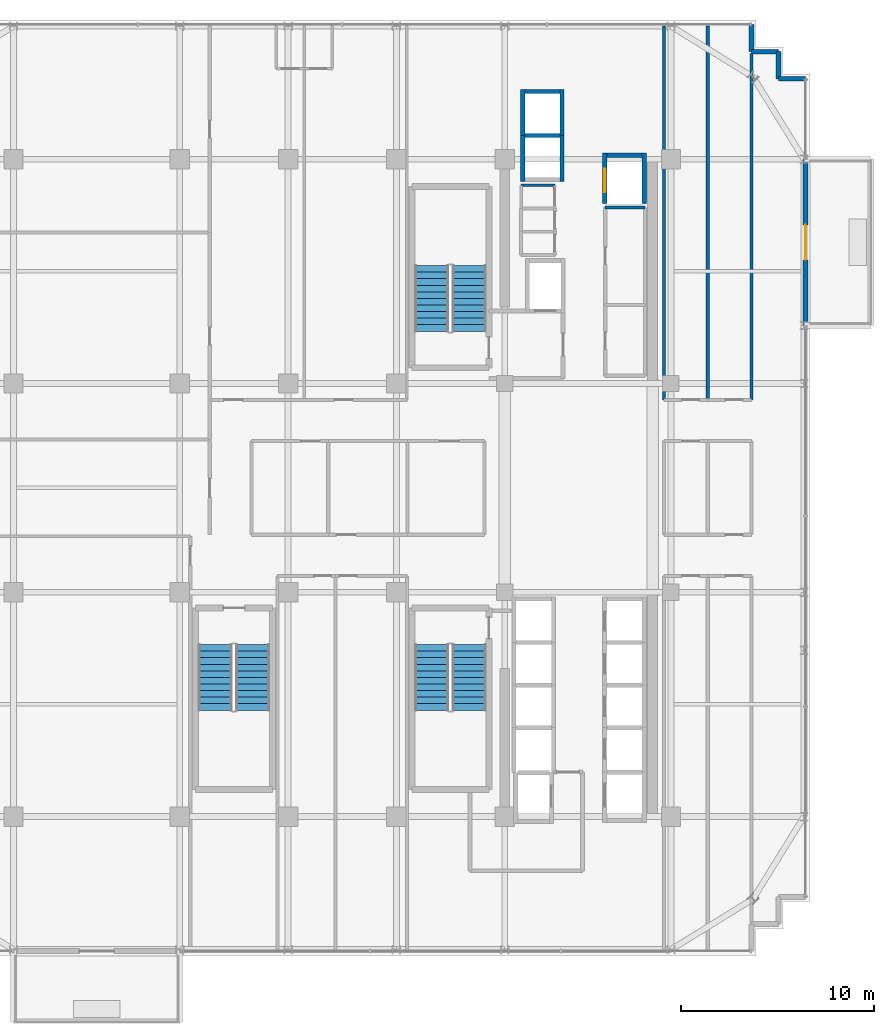
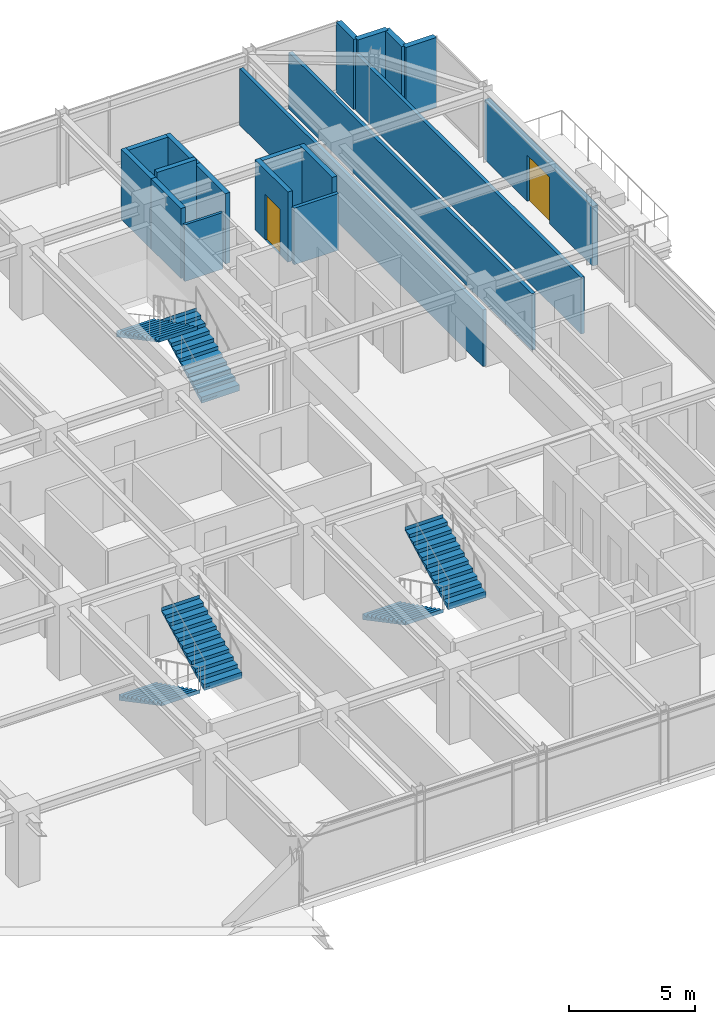
# One storey, part 33 of 36: 19 walls, 6 stair flights, 2 doors, 2 openings, 3 elements without a shape of their own.
"""IFC4 building model written with IfcOpenShell, lengths in metres."""

from ifc_helpers import new_model, si_unit, direction, frame, frame_2d, origin, place, context, subcontext, project, spatial, polyline, rectangle, outline, extrude, source, transform, mapped, material, layer, layer_set, type_object, element, fill, aggregate, save


model = new_model("IFC4")

# Units and contexts
model_context = context("Model", 3, precision=1e-05, world=origin(), true_north=direction((0.0, 1.0)))
body_context = subcontext(model_context, "Body", "Model", "MODEL_VIEW")
ifc_project = project(units=[si_unit("LENGTHUNIT", "METRE"), si_unit("AREAUNIT", "SQUARE_METRE"), si_unit("VOLUMEUNIT", "CUBIC_METRE"), si_unit("PLANEANGLEUNIT", "RADIAN"), si_unit("MASSUNIT", "GRAM", prefix="KILO")], contexts=[model_context])

# Site, building, storey
site_placement = place(None, origin())
site = spatial("IfcSite", under=ifc_project, at=site_placement, CompositionType="ELEMENT")
building_placement = place(site_placement, origin())
building = spatial("IfcBuilding", under=site, at=building_placement, Name="Nahalor Promenade Grand Hotel", CompositionType="ELEMENT")
storey_placement = place(building_placement, frame((0.0, 0.0, 223.39990234375)))
storey = spatial("IfcBuildingStorey", under=building, at=storey_placement, Name="L57", CompositionType="ELEMENT", Elevation=223.39990234375)

# Walls
ifc_material_1 = material(Name="Concrete B-50 (C40/50)", Category="concrete")
ifc_layer_1 = layer(ifc_material_1, 0.219970703125)
ifc_layer_set_1 = layer_set([ifc_layer_1], Name="Concrete B-50 (C40/50)")
wall_type_1 = type_object("IfcWallType", Name="Wall-LiftShaft-220", PredefinedType="SHEAR", material=ifc_layer_set_1)
shared_shape_1 = source(origin(), body_context, "Body", "SweptSolid", [
    extrude(rectangle(XDim=1.820068359375, YDim=0.219970703125, at=frame_2d((0.91015625, 0.0))), origin(), (0.0, 0.0, 1.0), 3.41015625),
])
for number, where, z_axis, x_axis, name in (
    (1, (9.43994140625, 20.5, 0.0), (0.0, 0.0, 1.0), (1.0, 0.0, 0.0), "L57 Lift OB2 Hoistway Wall N"),
    (2, (13.68994140625, 17.199951171875, 0.0), (0.0, 0.0, 1.0), (1.0, 0.0, 0.0), "L57 Lift SV1 Hoistway Wall N"),
):
    element("IfcWall", number, at=place(storey_placement, frame(where, z_axis=z_axis, x_axis=x_axis)), inside=storey, type_object=wall_type_1, Name=name, PredefinedType="SHEAR", context=body_context, shape_type="MappedRepresentation", body=[
        mapped(shared_shape_1, transform((0.0, 0.0, 0.0), scale=1.0)),
    ])
shared_shape_2 = source(origin(), body_context, "Body", "SweptSolid", [
    extrude(rectangle(XDim=1.820068359375, YDim=0.219970703125, at=frame_2d((0.91015625, 0.0))), origin(), (0.0, 0.0, 1.0), 3.7001953125),
])
wall_1_placement = place(storey_placement, frame((9.43994140625, 18.22509765625, 0.0), z_axis=(0.0, 0.0, 1.0), x_axis=(1.0, 0.0, 0.0)))
element("IfcWall", 3, at=wall_1_placement, inside=storey, type_object=wall_type_1, Name="L57 Lift OB1 Hoistway Wall N", PredefinedType="SHEAR", context=body_context, shape_type="MappedRepresentation", body=[
    mapped(shared_shape_2, transform((0.0, 0.0, 0.0), scale=1.0)),
])
shared_shape_3 = source(origin(), body_context, "Body", "SweptSolid", [
    extrude(rectangle(XDim=2.385009765625, YDim=0.219970703125, at=frame_2d((1.1923828125, 0.0))), origin(), (0.0, 0.0, 1.0), 3.41015625),
])
for number, where, z_axis, x_axis, name in (
    (4, (9.330078125, 15.840087890625, 0.0), (0.0, 0.0, 1.0), (0.0, 1.0, 0.0), "L57 Lift OB1 Hoistway Wall W"),
    (5, (11.3701171875, 15.840087890625, 0.0), (0.0, 0.0, 1.0), (0.0, 1.0, 0.0), "L57 Lift OB1 Hoistway Wall E"),
    (6, (9.330078125, 18.22509765625, 0.0), (0.0, 0.0, 1.0), (0.0, 1.0, 0.0), "L57 Lift OB2 Hoistway Wall W"),
    (7, (11.3701171875, 18.22509765625, 0.0), (0.0, 0.0, 1.0), (0.0, 1.0, 0.0), "L57 Lift OB2 Hoistway Wall E"),
):
    element("IfcWall", number, at=place(storey_placement, frame(where, z_axis=z_axis, x_axis=x_axis)), inside=storey, type_object=wall_type_1, Name=name, PredefinedType="SHEAR", context=body_context, shape_type="MappedRepresentation", body=[
        mapped(shared_shape_3, transform((0.0, 0.0, 0.0), scale=1.0)),
    ])

# Wall, opening, door
shared_shape_4 = source(origin(), body_context, "Body", "SweptSolid", [
    extrude(rectangle(XDim=2.610107421875, YDim=0.219970703125, at=frame_2d((1.30517578125, 0.0))), origin(), (0.0, 0.0, 1.0), 3.41015625),
])
wall_2_placement = place(storey_placement, frame((13.580078125, 14.699951171875, 0.0), z_axis=(0.0, 0.0, 1.0), x_axis=(0.0, 1.0, 0.0)))
wall_2 = element("IfcWall", 8, at=wall_2_placement, inside=storey, type_object=wall_type_1, Name="L57 Lift SV1 Hoistway Wall W", PredefinedType="SHEAR", context=body_context, shape_type="MappedRepresentation", body=[
    mapped(shared_shape_4, transform((0.0, 0.0, 0.0), scale=1.0)),
])
opening_1_placement = place(wall_2_placement, frame((0.60009765625, 0.0, 0.0)))
opening_1 = element("IfcOpeningElement", 9, at=opening_1_placement, cuts=wall_2, Name="Opening LD-03", PredefinedType="OPENING", context=body_context, shape_type="SweptSolid", body=[
    extrude(rectangle(XDim=1.199951171875, YDim=2.199951171875, at=frame_2d((0.60009765625, 1.10009765625))), frame((0.0, 0.119873046875, 0.0), z_axis=(0.0, -1.0, 0.0), x_axis=(1.0, 0.0, 0.0)), (0.0, 0.0, 1.0), 0.239990234375),
])
ifc_material_2 = material(Name="Steel S355JR", Category="steel")
door_type_1 = type_object("IfcDoorType", Name="Door-LiftService-1200", OperationType="DOUBLE_DOOR_SLIDING", PredefinedType="DOOR", material=ifc_material_2)
shared_shape_5 = source(origin(), body_context, "Body", "SweptSolid", [
    extrude(rectangle(XDim=1.199951171875, YDim=2.199951171875, at=frame_2d((0.60009765625, 1.10009765625))), frame((0.0, 0.02490234375, 0.0), z_axis=(0.0, -1.0, 0.0), x_axis=(1.0, 0.0, 0.0)), (0.0, 0.0, 1.0), 0.050048828125),
])
door_1_placement = place(opening_1_placement, origin())
door_1 = element("IfcDoor", 10, at=door_1_placement, inside=storey, type_object=door_type_1, Name="DR-LIFT-SV1-L57", OperationType="DOUBLE_DOOR_SLIDING", OverallHeight=2.199951171875, OverallWidth=1.199951171875, PredefinedType="DOOR", context=body_context, shape_type="MappedRepresentation", body=[
    mapped(shared_shape_5, transform((0.0, 0.0, 0.0), scale=1.0)),
])
fill(opening_1, door_1)

# Walls
wall_3_placement = place(storey_placement, frame((15.6201171875, 14.699951171875, 0.0), z_axis=(0.0, 0.0, 1.0), x_axis=(0.0, 1.0, 0.0)))
element("IfcWall", 11, at=wall_3_placement, inside=storey, type_object=wall_type_1, Name="L57 Lift SV1 Hoistway Wall E", PredefinedType="SHEAR", context=body_context, shape_type="MappedRepresentation", body=[
    mapped(shared_shape_4, transform((0.0, 0.0, 0.0), scale=1.0)),
])
ifc_material_3 = material(Name="Concrete B-40 (C32/40)", Category="concrete")
ifc_layer_2 = layer(ifc_material_3, 0.25)
ifc_layer_set_2 = layer_set([ifc_layer_2], Name="Concrete B-40 (C32/40)")
wall_type_2 = type_object("IfcWallType", Name="Wall-BronzePier-250", PredefinedType="STANDARD", material=ifc_layer_set_2)
shared_shape_6 = source(origin(), body_context, "Body", "SweptSolid", [
    extrude(rectangle(XDim=1.39990234375, YDim=0.25, at=frame_2d((0.699951171875, 0.0))), origin(), (0.0, 0.0, 1.0), 3.41015625),
])
for number, where, z_axis, x_axis, name in (
    (12, (22.56005859375, 21.159912109375, 0.0), (0.0, 0.0, 1.0), (1.0, 0.0, 0.0), "W-L57-SR-05"),
    (13, (21.159912109375, 22.56005859375, 0.0), (0.0, 0.0, 1.0), (0.0, 1.0, 0.0), "W-L57-SR-08"),
):
    element("IfcWall", number, at=place(storey_placement, frame(where, z_axis=z_axis, x_axis=x_axis)), inside=storey, type_object=wall_type_2, Name=name, PredefinedType="STANDARD", context=body_context, shape_type="MappedRepresentation", body=[
        mapped(shared_shape_6, transform((0.0, 0.0, 0.0), scale=1.0)),
    ])
shared_shape_7 = source(origin(), body_context, "Body", "SweptSolid", [
    extrude(rectangle(XDim=1.400146484375, YDim=0.25, at=frame_2d((0.7001953125, 0.0))), origin(), (0.0, 0.0, 1.0), 3.41015625),
])
for number, where, z_axis, x_axis, name in (
    (14, (22.56005859375, 21.159912109375, 0.0), (0.0, 0.0, 1.0), (0.0, 1.0, 0.0), "W-L57-SR-06"),
    (15, (21.159912109375, 22.56005859375, 0.0), (0.0, 0.0, 1.0), (1.0, 0.0, 0.0), "W-L57-SR-07"),
):
    element("IfcWall", number, at=place(storey_placement, frame(where, z_axis=z_axis, x_axis=x_axis)), inside=storey, type_object=wall_type_2, Name=name, PredefinedType="STANDARD", context=body_context, shape_type="MappedRepresentation", body=[
        mapped(shared_shape_7, transform((0.0, 0.0, 0.0), scale=1.0)),
    ])

# Wall, opening, door
ifc_layer_3 = layer(ifc_material_3, 0.260009765625)
ifc_layer_set_3 = layer_set([ifc_layer_3], Name="Concrete B-40 (C32/40)")
wall_type_3 = type_object("IfcWallType", Name="Wall-BalconyWall-260", PredefinedType="STANDARD", material=ifc_layer_set_3)
shared_shape_8 = source(origin(), body_context, "Body", "SweptSolid", [
    extrude(rectangle(XDim=8.60009765625, YDim=0.260009765625, at=frame_2d((4.300048828125, 0.0))), origin(), (0.0, 0.0, 1.0), 2.89013671875),
])
wall_4_placement = place(storey_placement, frame((23.9599609375, 8.39990234375, 0.0), z_axis=(0.0, 0.0, 1.0), x_axis=(0.0, 1.0, 0.0)))
wall_4 = element("IfcWall", 16, at=wall_4_placement, inside=storey, type_object=wall_type_3, Name="W-L57-BALC-E-2", PredefinedType="STANDARD", context=body_context, shape_type="MappedRepresentation", body=[
    mapped(shared_shape_8, transform((0.0, 0.0, 0.0), scale=1.0)),
])
opening_2_placement = place(wall_4_placement, frame((3.39990234375, 0.0, 0.0)))
opening_2 = element("IfcOpeningElement", 17, at=opening_2_placement, cuts=wall_4, Name="Opening D-BC1", PredefinedType="OPENING", context=body_context, shape_type="SweptSolid", body=[
    extrude(rectangle(XDim=1.800048828125, YDim=2.25, at=frame_2d((0.89990234375, 1.125))), frame((0.0, 0.139892578125, 0.0), z_axis=(0.0, -1.0, 0.0), x_axis=(1.0, 0.0, 0.0)), (0.0, 0.0, 1.0), 0.280029296875),
])
ifc_material_4 = material(Name="Anodised Bronze Aluminium EN AW-6063 T6", Category="aluminium")
door_type_2 = type_object("IfcDoorType", Name="Door-BalconySlide-1800", OperationType="DOUBLE_DOOR_SLIDING", PredefinedType="DOOR", material=ifc_material_4)
shared_shape_9 = source(origin(), body_context, "Body", "SweptSolid", [
    extrude(rectangle(XDim=1.800048828125, YDim=2.25, at=frame_2d((0.89990234375, 1.125))), frame((0.0, 0.02490234375, 0.0), z_axis=(0.0, -1.0, 0.0), x_axis=(1.0, 0.0, 0.0)), (0.0, 0.0, 1.0), 0.050048828125),
])
door_2_placement = place(opening_2_placement, frame((1.800048828125, 0.0, 0.0), z_axis=(0.0, 0.0, 1.0), x_axis=(-1.0, 0.0, 0.0)))
door_2 = element("IfcDoor", 18, at=door_2_placement, inside=storey, type_object=door_type_2, Name="DR-L57-BALC-E-2", OperationType="DOUBLE_DOOR_SLIDING", OverallHeight=2.25, OverallWidth=1.800048828125, PredefinedType="DOOR", context=body_context, shape_type="MappedRepresentation", body=[
    mapped(shared_shape_9, transform((0.0, 0.0, 0.0), scale=1.0)),
])
fill(opening_2, door_2)

# Walls
ifc_material_5 = material(Name="Acoustic Mineral Gypsum", Category="gypsum")
ifc_layer_4 = layer(ifc_material_5, 0.159912109375)
ifc_layer_set_4 = layer_set([ifc_layer_4], Name="Acoustic Mineral Gypsum")
wall_type_4 = type_object("IfcWallType", Name="Wall-PartCorridor-160", PredefinedType="PARTITIONING", material=ifc_layer_set_4)
shared_shape_10 = source(origin(), body_context, "Body", "SweptSolid", [
    extrude(rectangle(XDim=2.0498046875, YDim=0.159912109375, at=frame_2d((1.02490234375, 0.0))), origin(), (0.0, 0.0, 1.0), 2.75),
])
wall_5_placement = place(storey_placement, frame((13.60009765625, 14.5, 0.0), z_axis=(0.0, 0.0, 1.0), x_axis=(1.0, 0.0, 0.0)))
element("IfcWall", 19, at=wall_5_placement, inside=storey, type_object=wall_type_4, Name="W-L57-FRB1B-N", PredefinedType="PARTITIONING", context=body_context, shape_type="MappedRepresentation", body=[
    mapped(shared_shape_10, transform((0.0, 0.0, 0.0), scale=1.0)),
])
shared_shape_11 = source(origin(), body_context, "Body", "SweptSolid", [
    extrude(rectangle(XDim=19.349853515625, YDim=0.159912109375, at=frame_2d((9.6748046875, 0.0))), origin(), (0.0, 0.0, 1.0), 2.75),
])
for number, where, z_axis, x_axis, name in (
    (20, (16.64990234375, 4.550048828125, 0.0), (0.0, 0.0, 1.0), (0.0, 1.0, 0.0), "W-L57-ENE1-W"),
    (21, (18.905029296875, 4.550048828125, 0.0), (0.0, 0.0, 1.0), (0.0, 1.0, 0.0), "W-L57-ENE1-E"),
):
    element("IfcWall", number, at=place(storey_placement, frame(where, z_axis=z_axis, x_axis=x_axis)), inside=storey, type_object=wall_type_4, Name=name, PredefinedType="PARTITIONING", context=body_context, shape_type="MappedRepresentation", body=[
        mapped(shared_shape_11, transform((0.0, 0.0, 0.0), scale=1.0)),
    ])
shared_shape_12 = source(origin(), body_context, "Body", "SweptSolid", [
    extrude(rectangle(XDim=17.929931640625, YDim=0.159912109375, at=frame_2d((8.96484375, 0.0))), origin(), (0.0, 0.0, 1.0), 2.75),
])
wall_6_placement = place(storey_placement, frame((21.159912109375, 4.550048828125, 0.0), z_axis=(0.0, 0.0, 1.0), x_axis=(0.0, 1.0, 0.0)))
element("IfcWall", 22, at=wall_6_placement, inside=storey, type_object=wall_type_4, Name="W-L57-ENE2-E", PredefinedType="PARTITIONING", context=body_context, shape_type="MappedRepresentation", body=[
    mapped(shared_shape_12, transform((0.0, 0.0, 0.0), scale=1.0)),
])
ifc_layer_5 = layer(ifc_material_5, 0.1201171875)
ifc_layer_set_5 = layer_set([ifc_layer_5], Name="Acoustic Mineral Gypsum")
wall_type_5 = type_object("IfcWallType", Name="Wall-PartBath-120", PredefinedType="PARTITIONING", material=ifc_layer_set_5)
shared_shape_13 = source(origin(), body_context, "Body", "SweptSolid", [
    extrude(rectangle(XDim=1.75, YDim=0.1201171875, at=frame_2d((0.875, 0.0))), origin(), (0.0, 0.0, 1.0), 2.75),
])
wall_7_placement = place(storey_placement, frame((9.25, 15.64990234375, 0.0), z_axis=(0.0, 0.0, 1.0), x_axis=(1.0, 0.0, 0.0)))
element("IfcWall", 23, at=wall_7_placement, inside=storey, type_object=wall_type_5, Name="W-L57-CK3C-N", PredefinedType="PARTITIONING", context=body_context, shape_type="MappedRepresentation", body=[
    mapped(shared_shape_13, transform((0.0, 0.0, 0.0), scale=1.0)),
])

# Stair, stair flights
stair_type_1 = type_object("IfcStairType", Name="Stair-ST1", PredefinedType="HALF_TURN_STAIR", material=ifc_material_1)
stair_1_placement = place(storey_placement, origin())
stair_1 = element("IfcStair", 24, at=stair_1_placement, inside=storey, type_object=stair_type_1, Name="L57 ST1", PredefinedType="HALF_TURN_STAIR")
ifc_layer_6 = layer(ifc_material_1, 0.179931640625)
ifc_layer_set_6 = layer_set([ifc_layer_6], Name="Concrete B-50 (C40/50)")
stair_flight_type_1 = type_object("IfcStairFlightType", Name="Flight-ST1", PredefinedType="STRAIGHT", material=ifc_layer_set_6)
shared_shape_14 = source(origin(), body_context, "Body", "SweptSolid", [
    extrude(outline(polyline([(-0.00390625, -0.1201171875), (-0.00390625, 0.0), (0.0, 0.0), (0.0, 0.168212890625), (0.340087890625, 0.168212890625), (0.340087890625, 0.33642578125), (0.679931640625, 0.33642578125), (0.679931640625, 0.504638671875), (1.02001953125, 0.504638671875), (1.02001953125, 0.672607421875), (1.360107421875, 0.672607421875), (1.360107421875, 0.8408203125), (1.699951171875, 0.8408203125), (1.699951171875, 1.009033203125), (2.0400390625, 1.009033203125), (2.0400390625, 1.17724609375), (2.3798828125, 1.17724609375), (2.3798828125, 1.345458984375), (2.719970703125, 1.345458984375), (2.719970703125, 1.513671875), (3.06005859375, 1.513671875), (3.06005859375, 1.681884765625), (3.39990234375, 1.681884765625), (3.39990234375, 1.85009765625), (3.404052734375, 1.85009765625), (3.404052734375, 1.669921875), (0.02001953125, -0.1201171875), (-0.00390625, -0.1201171875)])), frame((0.0, 0.875, 0.0), z_axis=(0.0, -1.0, 0.0), x_axis=(1.0, 0.0, 0.0)), (0.0, 0.0, 1.0), 1.75),
])
stair_flight_1_placement = place(storey_placement, frame((6.574951171875, 8.10009765625, 0.0), z_axis=(0.0, 0.0, 1.0), x_axis=(0.0, 1.0, 0.0)))
stair_flight_1 = element("IfcStairFlight", 25, at=stair_flight_1_placement, type_object=stair_flight_type_1, Name="ST1 flight 1", NumberOfRisers=11, NumberOfTreads=10, PredefinedType="STRAIGHT", RiserHeight=0.168181818, TreadLength=0.34, context=body_context, shape_type="MappedRepresentation", body=[
    mapped(shared_shape_14, transform((0.0, 0.0, 0.0), scale=1.0)),
])
stair_flight_2_placement = place(storey_placement, frame((4.625, 11.5, 1.85009765625), z_axis=(0.0, 0.0, 1.0), x_axis=(0.0, -1.0, 0.0)))
stair_flight_2 = element("IfcStairFlight", 26, at=stair_flight_2_placement, type_object=stair_flight_type_1, Name="ST1 flight 2", NumberOfRisers=11, NumberOfTreads=10, PredefinedType="STRAIGHT", RiserHeight=0.168181818, TreadLength=0.34, context=body_context, shape_type="MappedRepresentation", body=[
    mapped(shared_shape_14, transform((0.0, 0.0, 0.0), scale=1.0)),
])
aggregate(stair_1, [stair_flight_1, stair_flight_2])

stair_type_2 = type_object("IfcStairType", Name="Stair-ST2", PredefinedType="HALF_TURN_STAIR", material=ifc_material_1)
stair_2_placement = place(storey_placement, origin())
stair_2 = element("IfcStair", 27, at=stair_2_placement, inside=storey, type_object=stair_type_2, Name="L57 ST2", PredefinedType="HALF_TURN_STAIR")
ifc_layer_7 = layer(ifc_material_1, 0.18994140625)
ifc_layer_set_7 = layer_set([ifc_layer_7], Name="Concrete B-50 (C40/50)")
stair_flight_type_2 = type_object("IfcStairFlightType", Name="Flight-ST2", PredefinedType="STRAIGHT", material=ifc_layer_set_7)
shared_shape_15 = source(origin(), body_context, "Body", "SweptSolid", [
    extrude(outline(polyline([(-0.00390625, -0.1201171875), (-0.00390625, 0.0), (0.0, 0.0), (0.0, 0.168212890625), (0.340087890625, 0.168212890625), (0.340087890625, 0.33642578125), (0.679931640625, 0.33642578125), (0.679931640625, 0.504638671875), (1.02001953125, 0.504638671875), (1.02001953125, 0.672607421875), (1.360107421875, 0.672607421875), (1.360107421875, 0.8408203125), (1.699951171875, 0.8408203125), (1.699951171875, 1.009033203125), (2.0400390625, 1.009033203125), (2.0400390625, 1.17724609375), (2.3798828125, 1.17724609375), (2.3798828125, 1.345458984375), (2.719970703125, 1.345458984375), (2.719970703125, 1.513671875), (3.06005859375, 1.513671875), (3.06005859375, 1.681884765625), (3.39990234375, 1.681884765625), (3.39990234375, 1.85009765625), (3.404052734375, 1.85009765625), (3.404052734375, 1.669921875), (0.02001953125, -0.1201171875), (-0.00390625, -0.1201171875)])), frame((0.0, 0.875, 0.0), z_axis=(0.0, -1.0, 0.0), x_axis=(1.0, 0.0, 0.0)), (0.0, 0.0, 1.0), 1.75),
])
stair_flight_3_placement = place(storey_placement, frame((4.625, -8.10009765625, 0.0), z_axis=(0.0, 0.0, 1.0), x_axis=(0.0, -1.0, 0.0)))
stair_flight_3 = element("IfcStairFlight", 28, at=stair_flight_3_placement, type_object=stair_flight_type_2, Name="ST2 flight 1", NumberOfRisers=11, NumberOfTreads=10, PredefinedType="STRAIGHT", RiserHeight=0.168181818, TreadLength=0.34, context=body_context, shape_type="MappedRepresentation", body=[
    mapped(shared_shape_15, transform((0.0, 0.0, 0.0), scale=1.0)),
])
stair_flight_4_placement = place(storey_placement, frame((6.574951171875, -11.5, 1.85009765625), z_axis=(0.0, 0.0, 1.0), x_axis=(0.0, 1.0, 0.0)))
stair_flight_4 = element("IfcStairFlight", 29, at=stair_flight_4_placement, type_object=stair_flight_type_2, Name="ST2 flight 2", NumberOfRisers=11, NumberOfTreads=10, PredefinedType="STRAIGHT", RiserHeight=0.168181818, TreadLength=0.34, context=body_context, shape_type="MappedRepresentation", body=[
    mapped(shared_shape_15, transform((0.0, 0.0, 0.0), scale=1.0)),
])
aggregate(stair_2, [stair_flight_3, stair_flight_4])

stair_type_3 = type_object("IfcStairType", Name="Stair-ST3", PredefinedType="HALF_TURN_STAIR", material=ifc_material_1)
stair_3_placement = place(storey_placement, origin())
stair_3 = element("IfcStair", 30, at=stair_3_placement, inside=storey, type_object=stair_type_3, Name="L57 ST3", PredefinedType="HALF_TURN_STAIR")
ifc_layer_8 = layer(ifc_material_1, 0.199951171875)
ifc_layer_set_8 = layer_set([ifc_layer_8], Name="Concrete B-50 (C40/50)")
stair_flight_type_3 = type_object("IfcStairFlightType", Name="Flight-ST3", PredefinedType="STRAIGHT", material=ifc_layer_set_8)
shared_shape_16 = source(origin(), body_context, "Body", "SweptSolid", [
    extrude(outline(polyline([(-0.00390625, -0.1201171875), (-0.00390625, 0.0), (0.0, 0.0), (0.0, 0.168212890625), (0.340087890625, 0.168212890625), (0.340087890625, 0.33642578125), (0.679931640625, 0.33642578125), (0.679931640625, 0.504638671875), (1.02001953125, 0.504638671875), (1.02001953125, 0.672607421875), (1.360107421875, 0.672607421875), (1.360107421875, 0.8408203125), (1.699951171875, 0.8408203125), (1.699951171875, 1.009033203125), (2.0400390625, 1.009033203125), (2.0400390625, 1.17724609375), (2.3798828125, 1.17724609375), (2.3798828125, 1.345458984375), (2.719970703125, 1.345458984375), (2.719970703125, 1.513671875), (3.06005859375, 1.513671875), (3.06005859375, 1.681884765625), (3.39990234375, 1.681884765625), (3.39990234375, 1.85009765625), (3.404052734375, 1.85009765625), (3.404052734375, 1.669921875), (0.02001953125, -0.1201171875), (-0.00390625, -0.1201171875)])), frame((0.0, 0.875, 0.0), z_axis=(0.0, -1.0, 0.0), x_axis=(1.0, 0.0, 0.0)), (0.0, 0.0, 1.0), 1.75),
])
stair_flight_5_placement = place(storey_placement, frame((-6.574951171875, -8.10009765625, 0.0), z_axis=(0.0, 0.0, 1.0), x_axis=(0.0, -1.0, 0.0)))
stair_flight_5 = element("IfcStairFlight", 31, at=stair_flight_5_placement, type_object=stair_flight_type_3, Name="ST3 flight 1", NumberOfRisers=11, NumberOfTreads=10, PredefinedType="STRAIGHT", RiserHeight=0.168181818, TreadLength=0.34, context=body_context, shape_type="MappedRepresentation", body=[
    mapped(shared_shape_16, transform((0.0, 0.0, 0.0), scale=1.0)),
])
stair_flight_6_placement = place(storey_placement, frame((-4.625, -11.5, 1.85009765625), z_axis=(0.0, 0.0, 1.0), x_axis=(0.0, 1.0, 0.0)))
stair_flight_6 = element("IfcStairFlight", 32, at=stair_flight_6_placement, type_object=stair_flight_type_3, Name="ST3 flight 2", NumberOfRisers=11, NumberOfTreads=10, PredefinedType="STRAIGHT", RiserHeight=0.168181818, TreadLength=0.34, context=body_context, shape_type="MappedRepresentation", body=[
    mapped(shared_shape_16, transform((0.0, 0.0, 0.0), scale=1.0)),
])
aggregate(stair_3, [stair_flight_5, stair_flight_6])

save(model, "model.ifc")
